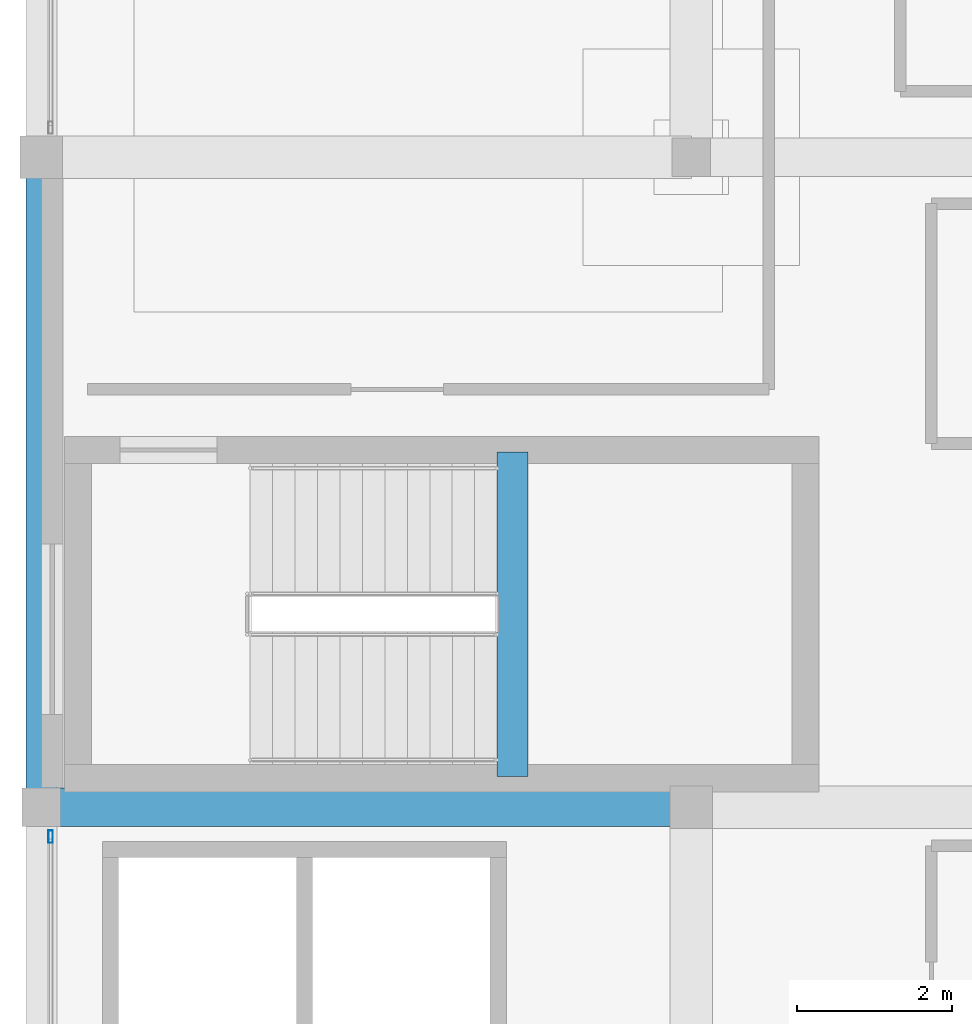
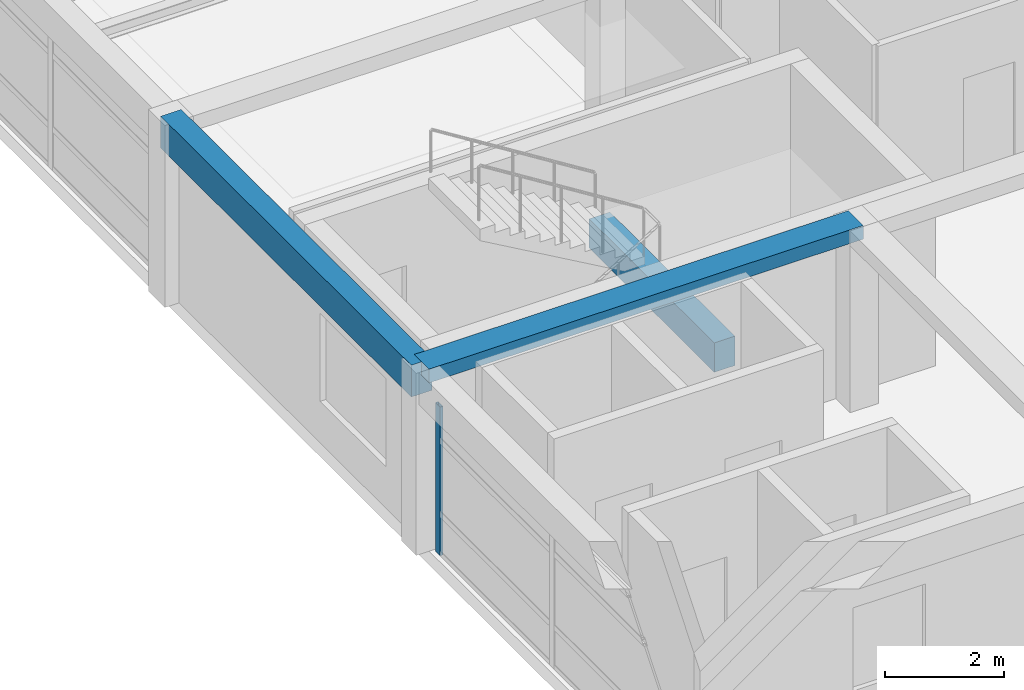
# One storey, part 4 of 20: 3 beams, 1 member, 1 element without a shape of its own.
"""IFC4 building model written with IfcOpenShell, lengths in metres."""

from ifc_helpers import new_model, si_unit, direction, frame, origin, origin_2d, place, context, subcontext, project, spatial, rectangle, hollow_rectangle, extrude, material, material_profile, profile_set, type_object, element, aggregate, save


model = new_model("IFC4")

# Units and contexts
model_context = context("Model", 3, precision=1e-05, world=origin(), true_north=direction((0.0, 1.0)))
body_context = subcontext(model_context, "Body", "Model", "MODEL_VIEW")
ifc_project = project(units=[si_unit("LENGTHUNIT", "METRE"), si_unit("AREAUNIT", "SQUARE_METRE"), si_unit("VOLUMEUNIT", "CUBIC_METRE"), si_unit("PLANEANGLEUNIT", "RADIAN"), si_unit("MASSUNIT", "GRAM", prefix="KILO")], contexts=[model_context])

# Site, building, storey
site_placement = place(None, origin())
site = spatial("IfcSite", under=ifc_project, at=site_placement, CompositionType="ELEMENT")
building_placement = place(site_placement, origin())
building = spatial("IfcBuilding", under=site, at=building_placement, Name="Almacenes y Pasaje Nevantli", CompositionType="ELEMENT")
storey_placement = place(building_placement, frame((0.0, 0.0, 62.699951171875)))
storey = spatial("IfcBuildingStorey", under=building, at=storey_placement, Name="L15", CompositionType="ELEMENT", Elevation=62.699951171875)

# Beams
ifc_material_1 = material(Name="Concrete C35/45", Category="concrete")
ifc_material_profile_1 = material_profile(ifc_material_1, rectangle(XDim=0.39990234375, YDim=0.60009765625, at=origin_2d()), Name="RC-BM-400x600")
ifc_profile_set_1 = profile_set([ifc_material_profile_1], Name="Concrete C35/45")
beam_type_1 = type_object("IfcBeamType", Name="BM-RC-400x600", PredefinedType="SPANDREL", material=ifc_profile_set_1)
beam_1_placement = place(storey_placement, frame((123.68994140625, 76.0, 1.5), z_axis=(0.0, 1.0, 0.0), x_axis=(-1.0, 0.0, 0.0)))
element("IfcBeam", 1, at=beam_1_placement, inside=storey, type_object=beam_type_1, Name="L15 Stair ST-01 Half-Landing Support Beam", PredefinedType="SPANDREL", context=body_context, shape_type="SweptSolid", body=[
    extrude(rectangle(XDim=0.39990234375, YDim=0.60009765625, at=origin_2d()), origin(), (0.0, 0.0, 1.0), 4.18994140625),
])
ifc_material_2 = material(Name="Concrete C35/45", Category="concrete")
ifc_material_profile_2 = material_profile(ifc_material_2, rectangle(XDim=0.39990234375, YDim=0.64990234375, at=origin_2d()), Name="RC-BM-400x650")
ifc_profile_set_2 = profile_set([ifc_material_profile_2], Name="Concrete C35/45")
beam_type_2 = type_object("IfcBeamType", Name="BM-RC-400x650", PredefinedType="SPANDREL", material=ifc_profile_set_2)
beam_2_placement = place(storey_placement, frame((117.60009765625, 75.60009765625, 3.39501953125), z_axis=(0.0, 1.0, 0.0), x_axis=(-1.0, 0.0, 0.0)))
element("IfcBeam", 2, at=beam_2_placement, inside=storey, type_object=beam_type_2, Name="L15 North-South Reinforced Concrete Beam #4031", PredefinedType="SPANDREL", context=body_context, shape_type="SweptSolid", body=[
    extrude(rectangle(XDim=0.39990234375, YDim=0.64990234375, at=origin_2d()), origin(), (0.0, 0.0, 1.0), 8.39990234375),
])
ifc_material_3 = material(Name="Concrete C35/45", Category="concrete")
ifc_material_profile_3 = material_profile(ifc_material_3, rectangle(XDim=0.5, YDim=0.280029296875, at=origin_2d()), Name="RC-BM-500x280")
ifc_profile_set_3 = profile_set([ifc_material_profile_3], Name="Concrete C35/45")
beam_type_3 = type_object("IfcBeamType", Name="BM-RC-500x280", PredefinedType="BEAM", material=ifc_profile_set_3)
beam_3_placement = place(storey_placement, frame((117.60009765625, 75.60009765625, 3.580078125), z_axis=(1.0, 0.0, 0.0), x_axis=(0.0, 1.0, 0.0)))
element("IfcBeam", 3, at=beam_3_placement, inside=storey, type_object=beam_type_3, Name="L15 East-West Reinforced Concrete Beam #4018", PredefinedType="BEAM", context=body_context, shape_type="SweptSolid", body=[
    extrude(rectangle(XDim=0.5, YDim=0.280029296875, at=origin_2d()), origin(), (0.0, 0.0, 1.0), 8.39990234375),
])

# Curtain wall, member
ifc_material_4 = material(Name="Thermally Broken Aluminium and Low-E Glass", Category="aluminium")
curtain_wall_type = type_object("IfcCurtainWallType", Name="CW-UNIT-TOWER", PredefinedType="USERDEFINED", material=ifc_material_4)
curtain_wall_placement = place(storey_placement, origin())
curtain_wall = element("IfcCurtainWall", 4, at=curtain_wall_placement, inside=storey, type_object=curtain_wall_type, Name="L15 Tower West Curtain Wall Bay 9", ObjectType="UNITIZED CURTAIN WALL", PredefinedType="USERDEFINED")
ifc_material_5 = material(Name="Thermally Broken Anodized Aluminium", Category="aluminium")
ifc_material_profile_4 = material_profile(ifc_material_5, hollow_rectangle(XDim=0.06005859375, YDim=0.159912109375, WallThickness=0.00390625, at=origin_2d()), Name="ALU-MUL-60x160")
ifc_profile_set_4 = profile_set([ifc_material_profile_4], Name="Thermally Broken Anodized Aluminium")
member_type = type_object("IfcMemberType", Name="CW-MUL-180", PredefinedType="MULLION", material=ifc_profile_set_4)
member_placement = place(storey_placement, frame((117.719970703125, 75.219970703125, 0.0), z_axis=(0.0, 0.0, 1.0), x_axis=(-1.0, 0.0, 0.0)))
member = element("IfcMember", 5, at=member_placement, type_object=member_type, Name="CW-L15-188 mullion 3", PredefinedType="MULLION", context=body_context, shape_type="SweptSolid", body=[
    extrude(hollow_rectangle(XDim=0.06005859375, YDim=0.159912109375, WallThickness=0.00390625, at=origin_2d()), origin(), (0.0, 0.0, 1.0), 3.0400390625),
])
aggregate(curtain_wall, [member])

save(model, "model.ifc")
